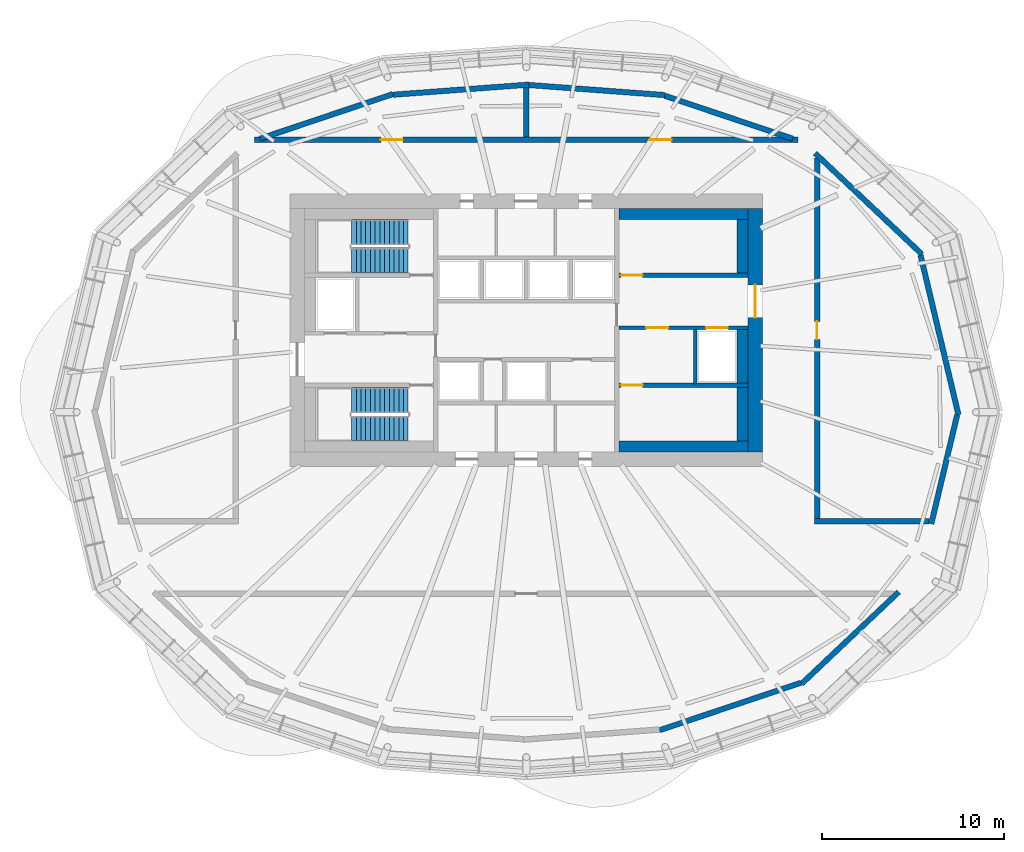
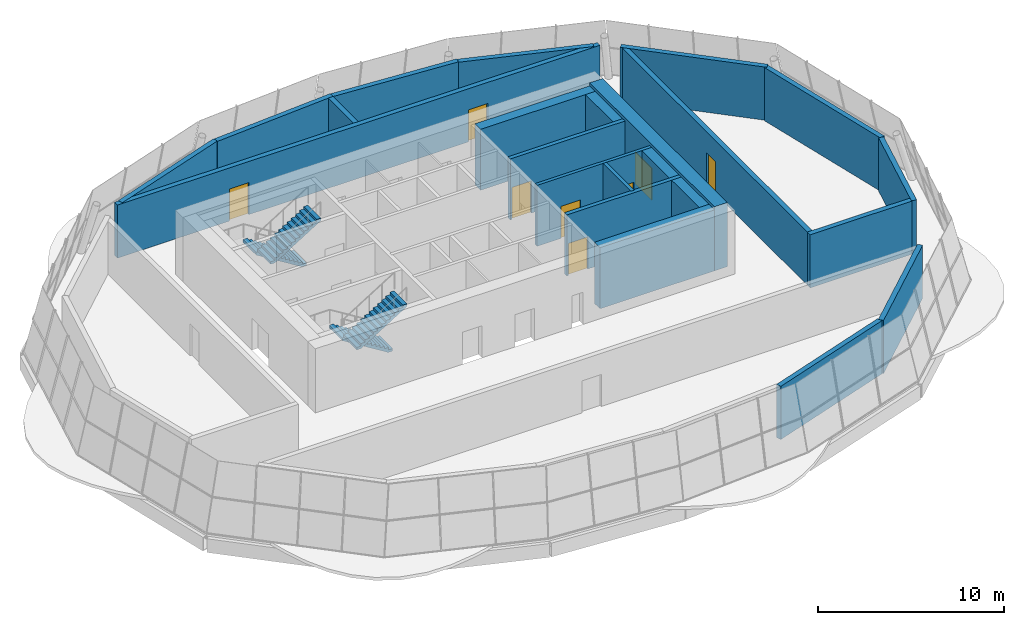
# One storey, part 8 of 9: 23 walls, 8 doors, 4 stair flights, 8 openings, 2 elements without a shape of their own.
"""IFC4 building model written with IfcOpenShell, lengths in metres."""

from ifc_helpers import new_model, si_unit, direction, frame, frame_2d, origin, place, context, subcontext, project, spatial, polyline, rectangle, outline, extrude, material, layer, layer_set, type_object, element, fill, aggregate, save


model = new_model("IFC4")

# Units and contexts
model_context = context("Model", 3, precision=1e-05, world=origin(), true_north=direction((0.0, 1.0)))
body_context = subcontext(model_context, "Body", "Model", "MODEL_VIEW")
ifc_project = project(units=[si_unit("LENGTHUNIT", "METRE"), si_unit("AREAUNIT", "SQUARE_METRE"), si_unit("VOLUMEUNIT", "CUBIC_METRE"), si_unit("PLANEANGLEUNIT", "RADIAN"), si_unit("MASSUNIT", "GRAM", prefix="KILO")], contexts=[model_context])

# Site, building, storey
site_placement = place(None, origin())
site = spatial("IfcSite", under=ifc_project, at=site_placement, CompositionType="ELEMENT")
building_placement = place(site_placement, origin())
building = spatial("IfcBuilding", under=site, at=building_placement, Name="Rubra Terraces Tower", CompositionType="ELEMENT")
storey_placement = place(building_placement, frame((0.0, 0.0, 307.800048828125)))
storey = spatial("IfcBuildingStorey", under=building, at=storey_placement, Name="L76", CompositionType="ELEMENT", Elevation=307.800048828125)

# Wall, opening, door
ifc_material_1 = material(Name="Concrete C50", Category="concrete")
ifc_layer_1 = layer(ifc_material_1, 0.800048828125)
ifc_layer_set_1 = layer_set([ifc_layer_1], Name="Concrete C50")
wall_type_1 = type_object("IfcWallType", Name="CORE WALL 800 C50", PredefinedType="SHEAR", material=ifc_layer_set_1)
wall_1_placement = place(storey_placement, frame((12.60009765625, -2.199951171875, 0.0), z_axis=(0.0, 0.0, 1.0), x_axis=(0.0, 1.0, 0.0)))
wall_1 = element("IfcWall", 1, at=wall_1_placement, inside=storey, type_object=wall_type_1, Name="CORE WALL E L76", PredefinedType="SHEAR", context=body_context, shape_type="SweptSolid", body=[
    extrude(rectangle(XDim=13.39990234375, YDim=0.800048828125, at=frame_2d((6.699951171875, 0.0))), origin(), (0.0, 0.0, 1.0), 4.199951171875),
])
opening_1_placement = place(wall_1_placement, frame((7.39990234375, 0.0, 0.0)))
opening_1 = element("IfcOpeningElement", 2, at=opening_1_placement, cuts=wall_1, Name="Opening L76.C02", PredefinedType="OPENING", context=body_context, shape_type="SweptSolid", body=[
    extrude(rectangle(XDim=1.800048828125, YDim=2.10009765625, at=frame_2d((0.89990234375, 1.050048828125))), frame((0.0, 0.409912109375, 0.0), z_axis=(0.0, -1.0, 0.0), x_axis=(1.0, 0.0, 0.0)), (0.0, 0.0, 1.0), 0.820068359375),
])
ifc_material_2 = material(Name="Painted steel", Category="steel")
door_type_1 = type_object("IfcDoorType", Name="Fire door 1800x2100 double", OperationType="NOTDEFINED", PredefinedType="DOOR", material=ifc_material_2)
door_1_placement = place(opening_1_placement, origin())
door_1 = element("IfcDoor", 3, at=door_1_placement, inside=storey, type_object=door_type_1, Name="Core entrance door FF2", OperationType="DOUBLE_DOOR_SINGLE_SWING", OverallHeight=2.10009765625, OverallWidth=1.800048828125, PredefinedType="DOOR", context=body_context, shape_type="SweptSolid", body=[
    extrude(rectangle(XDim=1.800048828125, YDim=2.10009765625, at=frame_2d((0.89990234375, 1.050048828125))), frame((0.0, 0.02490234375, 0.0), z_axis=(0.0, -1.0, 0.0), x_axis=(1.0, 0.0, 0.0)), (0.0, 0.0, 1.0), 0.050048828125),
])
fill(opening_1, door_1)

# Walls
ifc_material_3 = material(Name="Concrete C40", Category="concrete")
ifc_layer_2 = layer(ifc_material_3, 0.60009765625)
ifc_layer_set_2 = layer_set([ifc_layer_2], Name="Concrete C40")
wall_type_2 = type_object("IfcWallType", Name="Core lining wall 600 concrete", PredefinedType="SOLIDWALL", material=ifc_layer_set_2)
wall_2_placement = place(storey_placement, frame((12.199951171875, 10.89990234375, 0.0), z_axis=(0.0, 0.0, 1.0), x_axis=(-1.0, 0.0, 0.0)))
element("IfcWall", 4, at=wall_2_placement, inside=storey, type_object=wall_type_2, Name="CORE LINING WALL L76", PredefinedType="SOLIDWALL", context=body_context, shape_type="SweptSolid", body=[
    extrude(rectangle(XDim=7.099853515625, YDim=0.60009765625, at=frame_2d((3.5498046875, 0.0))), origin(), (0.0, 0.0, 1.0), 4.0),
])
wall_3_placement = place(storey_placement, frame((11.89990234375, 10.60009765625, 0.0), z_axis=(0.0, 0.0, 1.0), x_axis=(0.0, -1.0, 0.0)))
element("IfcWall", 5, at=wall_3_placement, inside=storey, type_object=wall_type_2, Name="CORE LINING WALL L76", PredefinedType="SOLIDWALL", context=body_context, shape_type="SweptSolid", body=[
    extrude(rectangle(XDim=2.9501953125, YDim=0.60009765625, at=frame_2d((1.47509765625, 0.0))), origin(), (0.0, 0.0, 1.0), 4.0),
])
wall_4_placement = place(storey_placement, frame((11.89990234375, 4.550048828125, 0.0), z_axis=(0.0, 0.0, 1.0), x_axis=(0.0, -1.0, 0.0)))
element("IfcWall", 6, at=wall_4_placement, inside=storey, type_object=wall_type_2, Name="CORE LINING WALL L76", PredefinedType="SOLIDWALL", context=body_context, shape_type="SweptSolid", body=[
    extrude(rectangle(XDim=3.0, YDim=0.60009765625, at=frame_2d((1.5, 0.0))), origin(), (0.0, 0.0, 1.0), 4.0),
])
wall_5_placement = place(storey_placement, frame((11.89990234375, 1.35009765625, 0.0), z_axis=(0.0, 0.0, 1.0), x_axis=(0.0, -1.0, 0.0)))
element("IfcWall", 7, at=wall_5_placement, inside=storey, type_object=wall_type_2, Name="CORE LINING WALL L76", PredefinedType="SOLIDWALL", context=body_context, shape_type="SweptSolid", body=[
    extrude(rectangle(XDim=2.9501953125, YDim=0.60009765625, at=frame_2d((1.47509765625, 0.0))), origin(), (0.0, 0.0, 1.0), 4.0),
])
wall_6_placement = place(storey_placement, frame((12.199951171875, -1.89990234375, 0.0), z_axis=(0.0, 0.0, 1.0), x_axis=(-1.0, 0.0, 0.0)))
element("IfcWall", 8, at=wall_6_placement, inside=storey, type_object=wall_type_2, Name="CORE LINING WALL L76", PredefinedType="SOLIDWALL", context=body_context, shape_type="SweptSolid", body=[
    extrude(rectangle(XDim=7.099853515625, YDim=0.60009765625, at=frame_2d((3.5498046875, 0.0))), origin(), (0.0, 0.0, 1.0), 4.0),
])

# Wall, openings, doors
ifc_material_4 = material(Name="Concrete C30", Category="concrete")
ifc_layer_3 = layer(ifc_material_4, 0.199951171875)
ifc_layer_set_3 = layer_set([ifc_layer_3], Name="Concrete C30")
wall_type_3 = type_object("IfcWallType", Name="Core wall 200 concrete", PredefinedType="SOLIDWALL", material=ifc_layer_set_3)
wall_7_placement = place(storey_placement, frame((12.199951171875, 4.64990234375, 0.0), z_axis=(0.0, 0.0, 1.0), x_axis=(-1.0, 0.0, 0.0)))
wall_7 = element("IfcWall", 9, at=wall_7_placement, inside=storey, type_object=wall_type_3, Name="STAIR WALL L76", PredefinedType="SOLIDWALL", context=body_context, shape_type="SweptSolid", body=[
    extrude(rectangle(XDim=7.099853515625, YDim=0.199951171875, at=frame_2d((3.5498046875, 0.0))), origin(), (0.0, 0.0, 1.0), 4.0),
])
opening_2_placement = place(wall_7_placement, frame((4.39990234375, 0.0, 0.0)))
opening_2 = element("IfcOpeningElement", 10, at=opening_2_placement, cuts=wall_7, Name="Opening L76.C06", PredefinedType="OPENING", context=body_context, shape_type="SweptSolid", body=[
    extrude(rectangle(XDim=1.199951171875, YDim=2.10009765625, at=frame_2d((0.60009765625, 1.050048828125))), frame((0.0, 0.10986328125, 0.0), z_axis=(0.0, -1.0, 0.0), x_axis=(1.0, 0.0, 0.0)), (0.0, 0.0, 1.0), 0.219970703125),
])
opening_3_placement = place(wall_7_placement, frame((1.10009765625, 0.0, 0.0)))
opening_3 = element("IfcOpeningElement", 11, at=opening_3_placement, cuts=wall_7, Name="Opening L76.C12", PredefinedType="OPENING", context=body_context, shape_type="SweptSolid", body=[
    extrude(rectangle(XDim=1.199951171875, YDim=2.10009765625, at=frame_2d((0.60009765625, 1.050048828125))), frame((0.0, 0.10986328125, 0.0), z_axis=(0.0, -1.0, 0.0), x_axis=(1.0, 0.0, 0.0)), (0.0, 0.0, 1.0), 0.219970703125),
])
door_type_2 = type_object("IfcDoorType", Name="Fire door 1200x2100 single", OperationType="NOTDEFINED", PredefinedType="DOOR", material=ifc_material_2)
door_2_placement = place(opening_2_placement, origin())
door_2 = element("IfcDoor", 12, at=door_2_placement, inside=storey, type_object=door_type_2, Name="Stair vestibule door S4", OperationType="SINGLE_SWING_RIGHT", OverallHeight=2.10009765625, OverallWidth=1.199951171875, PredefinedType="DOOR", context=body_context, shape_type="SweptSolid", body=[
    extrude(rectangle(XDim=1.199951171875, YDim=2.10009765625, at=frame_2d((0.60009765625, 1.050048828125))), frame((0.0, 0.02490234375, 0.0), z_axis=(0.0, -1.0, 0.0), x_axis=(1.0, 0.0, 0.0)), (0.0, 0.0, 1.0), 0.050048828125),
])
fill(opening_2, door_2)
ifc_material_5 = material(Name="Stainless steel", Category="steel")
door_type_3 = type_object("IfcDoorType", Name="Lift landing door 1200x2100", OperationType="NOTDEFINED", PredefinedType="DOOR", material=ifc_material_5)
door_3_placement = place(opening_3_placement, origin())
door_3 = element("IfcDoor", 13, at=door_3_placement, inside=storey, type_object=door_type_3, Name="Landing door FF2", OperationType="SLIDING_TO_RIGHT", OverallHeight=2.10009765625, OverallWidth=1.199951171875, PredefinedType="DOOR", context=body_context, shape_type="SweptSolid", body=[
    extrude(rectangle(XDim=1.199951171875, YDim=2.10009765625, at=frame_2d((0.60009765625, 1.050048828125))), frame((0.0, 0.02490234375, 0.0), z_axis=(0.0, -1.0, 0.0), x_axis=(1.0, 0.0, 0.0)), (0.0, 0.0, 1.0), 0.050048828125),
])
fill(opening_3, door_3)

# Walls
wall_8_placement = place(storey_placement, frame((9.300048828125, 4.550048828125, 0.0), z_axis=(0.0, 0.0, 1.0), x_axis=(0.0, -1.0, 0.0)))
element("IfcWall", 14, at=wall_8_placement, inside=storey, type_object=wall_type_3, Name="STAIR WALL L76", PredefinedType="SOLIDWALL", context=body_context, shape_type="SweptSolid", body=[
    extrude(rectangle(XDim=3.0, YDim=0.199951171875, at=frame_2d((1.5, 0.0))), origin(), (0.0, 0.0, 1.0), 4.0),
])
ifc_material_6 = material(Name="Blockwork", Category="masonry")
ifc_layer_4 = layer(ifc_material_6, 0.300048828125)
ifc_layer_set_4 = layer_set([ifc_layer_4], Name="Blockwork")
wall_type_4 = type_object("IfcWallType", Name="Plant wall 300 blockwork", PredefinedType="SOLIDWALL", material=ifc_layer_set_4)
wall_9_placement = place(storey_placement, frame((15.89111328125, 14.2509765625, 0.0), z_axis=(0.0, 0.0, 1.0), x_axis=(0.726669936256, -0.686986756598, 0.0)))
element("IfcWall", 15, at=wall_9_placement, inside=storey, type_object=wall_type_4, Name="Plant room wall", PredefinedType="SOLIDWALL", context=body_context, shape_type="SweptSolid", body=[
    extrude(rectangle(XDim=8.090087890625, YDim=0.300048828125, at=frame_2d((4.044921875, 0.0))), origin(), (0.0, 0.0, 1.0), 3.48388671875),
])
wall_10_placement = place(storey_placement, frame((21.696044921875, 8.64990234375, 0.0), z_axis=(0.0, 0.0, 1.0), x_axis=(0.231055814684, -0.972940496896, 0.0)))
element("IfcWall", 16, at=wall_10_placement, inside=storey, type_object=wall_type_4, Name="Plant room wall", PredefinedType="SOLIDWALL", context=body_context, shape_type="SweptSolid", body=[
    extrude(rectangle(XDim=9.04052734375, YDim=0.300048828125, at=frame_2d((4.520263671875, 0.0))), origin(), (0.0, 0.0, 1.0), 3.48388671875),
])
wall_11_placement = place(storey_placement, frame((23.715087890625, -0.14599609375, 0.0), z_axis=(0.0, 0.0, 1.0), x_axis=(-0.231079925788, -0.972934770629, 0.0)))
element("IfcWall", 17, at=wall_11_placement, inside=storey, type_object=wall_type_4, Name="Plant room wall", PredefinedType="SOLIDWALL", context=body_context, shape_type="SweptSolid", body=[
    extrude(rectangle(XDim=6.1669921875, YDim=0.300048828125, at=frame_2d((3.08349609375, 0.0))), origin(), (0.0, 0.0, 1.0), 3.48388671875),
])
wall_12_placement = place(storey_placement, frame((22.175048828125, -6.0, 0.0), z_axis=(0.0, 0.0, 1.0), x_axis=(-1.0, 0.0, 0.0)))
element("IfcWall", 18, at=wall_12_placement, inside=storey, type_object=wall_type_4, Name="Plant room wall", PredefinedType="SOLIDWALL", context=body_context, shape_type="SweptSolid", body=[
    extrude(rectangle(XDim=6.324951171875, YDim=0.300048828125, at=frame_2d((3.16259765625, 0.0))), origin(), (0.0, 0.0, 1.0), 3.48388671875),
])

# Wall, opening, door
wall_13_placement = place(storey_placement, frame((16.0, -5.85009765625, 0.0), z_axis=(0.0, 0.0, 1.0), x_axis=(0.0, 1.0, 0.0)))
wall_13 = element("IfcWall", 19, at=wall_13_placement, inside=storey, type_object=wall_type_4, Name="Plant room wall", PredefinedType="SOLIDWALL", context=body_context, shape_type="SweptSolid", body=[
    extrude(rectangle(XDim=19.84814453125, YDim=0.300048828125, at=frame_2d((9.924072265625, 0.0))), origin(), (0.0, 0.0, 1.0), 3.48388671875),
])
opening_4_placement = place(wall_13_placement, frame((9.85009765625, 0.0, 0.0)))
opening_4 = element("IfcOpeningElement", 20, at=opening_4_placement, cuts=wall_13, Name="Opening DB1", PredefinedType="OPENING", context=body_context, shape_type="SweptSolid", body=[
    extrude(rectangle(XDim=1.0, YDim=2.10009765625, at=frame_2d((0.5, 1.050048828125))), frame((0.0, 0.159912109375, 0.0), z_axis=(0.0, -1.0, 0.0), x_axis=(1.0, 0.0, 0.0)), (0.0, 0.0, 1.0), 0.320068359375),
])
ifc_material_7 = material(Name="Painted timber", Category="wood")
door_type_4 = type_object("IfcDoorType", Name="Door 1000x2100 single", OperationType="NOTDEFINED", PredefinedType="DOOR", material=ifc_material_7)
door_4_placement = place(opening_4_placement, origin())
door_4 = element("IfcDoor", 21, at=door_4_placement, inside=storey, type_object=door_type_4, Name="Plant room door L76-02", OperationType="SINGLE_SWING_LEFT", OverallHeight=2.10009765625, OverallWidth=1.0, PredefinedType="DOOR", context=body_context, shape_type="SweptSolid", body=[
    extrude(rectangle(XDim=1.0, YDim=2.10009765625, at=frame_2d((0.5, 1.050048828125))), frame((0.0, 0.02490234375, 0.0), z_axis=(0.0, -1.0, 0.0), x_axis=(1.0, 0.0, 0.0)), (0.0, 0.0, 1.0), 0.050048828125),
])
fill(opening_4, door_4)

# Walls
wall_14_placement = place(storey_placement, frame((20.4970703125, -9.89697265625, 0.0), z_axis=(0.0, 0.0, 1.0), x_axis=(-0.726687950855, -0.686967700902, 0.0)))
element("IfcWall", 22, at=wall_14_placement, inside=storey, type_object=wall_type_4, Name="Plant room wall", PredefinedType="SOLIDWALL", context=body_context, shape_type="SweptSolid", body=[
    extrude(rectangle(XDim=7.351318359375, YDim=0.300048828125, at=frame_2d((3.67578125, 0.0))), origin(), (0.0, 0.0, 1.0), 3.48388671875),
])
wall_15_placement = place(storey_placement, frame((15.1220703125, -14.89208984375, 0.0), z_axis=(0.0, 0.0, 1.0), x_axis=(-0.947889107185, -0.318600440175, 0.0)))
element("IfcWall", 23, at=wall_15_placement, inside=storey, type_object=wall_type_4, Name="Plant room wall", PredefinedType="SOLIDWALL", context=body_context, shape_type="SweptSolid", body=[
    extrude(rectangle(XDim=8.207763671875, YDim=0.300048828125, at=frame_2d((4.10400390625, 0.0))), origin(), (0.0, 0.0, 1.0), 3.48388671875),
])

# Wall, openings, doors
wall_16_placement = place(storey_placement, frame((14.948974609375, 15.0, 0.0), z_axis=(0.0, 0.0, 1.0), x_axis=(-1.0, 0.0, 0.0)))
wall_16 = element("IfcWall", 24, at=wall_16_placement, inside=storey, type_object=wall_type_4, Name="Plant room wall", PredefinedType="SOLIDWALL", context=body_context, shape_type="SweptSolid", body=[
    extrude(rectangle(XDim=29.89794921875, YDim=0.300048828125, at=frame_2d((14.948974609375, 0.0))), origin(), (0.0, 0.0, 1.0), 3.48388671875),
])
opening_5_placement = place(wall_16_placement, frame((21.7490234375, 0.0, 0.0)))
opening_5 = element("IfcOpeningElement", 25, at=opening_5_placement, cuts=wall_16, Name="Opening DB2", PredefinedType="OPENING", context=body_context, shape_type="SweptSolid", body=[
    extrude(rectangle(XDim=1.199951171875, YDim=2.10009765625, at=frame_2d((0.60009765625, 1.050048828125))), frame((0.0, 0.159912109375, 0.0), z_axis=(0.0, -1.0, 0.0), x_axis=(1.0, 0.0, 0.0)), (0.0, 0.0, 1.0), 0.320068359375),
])
opening_6_placement = place(wall_16_placement, frame((6.948974609375, 0.0, 0.0)))
opening_6 = element("IfcOpeningElement", 26, at=opening_6_placement, cuts=wall_16, Name="Opening DB2", PredefinedType="OPENING", context=body_context, shape_type="SweptSolid", body=[
    extrude(rectangle(XDim=1.199951171875, YDim=2.10009765625, at=frame_2d((0.60009765625, 1.050048828125))), frame((0.0, 0.159912109375, 0.0), z_axis=(0.0, -1.0, 0.0), x_axis=(1.0, 0.0, 0.0)), (0.0, 0.0, 1.0), 0.320068359375),
])
door_type_5 = type_object("IfcDoorType", Name="Door 1200x2100 plant", OperationType="NOTDEFINED", PredefinedType="DOOR", material=ifc_material_2)
door_5_placement = place(opening_5_placement, origin())
door_5 = element("IfcDoor", 27, at=door_5_placement, inside=storey, type_object=door_type_5, Name="Plant room door L76-04", OperationType="SINGLE_SWING_LEFT", OverallHeight=2.10009765625, OverallWidth=1.199951171875, PredefinedType="DOOR", context=body_context, shape_type="SweptSolid", body=[
    extrude(rectangle(XDim=1.199951171875, YDim=2.10009765625, at=frame_2d((0.60009765625, 1.050048828125))), frame((0.0, 0.02490234375, 0.0), z_axis=(0.0, -1.0, 0.0), x_axis=(1.0, 0.0, 0.0)), (0.0, 0.0, 1.0), 0.050048828125),
])
fill(opening_5, door_5)
door_6_placement = place(opening_6_placement, origin())
door_6 = element("IfcDoor", 28, at=door_6_placement, inside=storey, type_object=door_type_5, Name="Plant room door L76-05", OperationType="SINGLE_SWING_LEFT", OverallHeight=2.10009765625, OverallWidth=1.199951171875, PredefinedType="DOOR", context=body_context, shape_type="SweptSolid", body=[
    extrude(rectangle(XDim=1.199951171875, YDim=2.10009765625, at=frame_2d((0.60009765625, 1.050048828125))), frame((0.0, 0.02490234375, 0.0), z_axis=(0.0, -1.0, 0.0), x_axis=(1.0, 0.0, 0.0)), (0.0, 0.0, 1.0), 0.050048828125),
])
fill(opening_6, door_6)

# Walls
wall_17_placement = place(storey_placement, frame((-14.656982421875, 15.048095703125, 0.0), z_axis=(0.0, 0.0, 1.0), x_axis=(0.947876681806, 0.318637405352, 0.0)))
element("IfcWall", 29, at=wall_17_placement, inside=storey, type_object=wall_type_4, Name="Plant room wall", PredefinedType="SOLIDWALL", context=body_context, shape_type="SweptSolid", body=[
    extrude(rectangle(XDim=7.71728515625, YDim=0.300048828125, at=frame_2d((3.858642578125, 0.0))), origin(), (0.0, 0.0, 1.0), 3.48388671875),
])
wall_18_placement = place(storey_placement, frame((-7.333984375, 17.469970703125, 0.0), z_axis=(0.0, 0.0, 1.0), x_axis=(0.99725255451, 0.074076599028, 0.0)))
element("IfcWall", 30, at=wall_18_placement, inside=storey, type_object=wall_type_4, Name="Plant room wall", PredefinedType="SOLIDWALL", context=body_context, shape_type="SweptSolid", body=[
    extrude(rectangle(XDim=7.50439453125, YDim=0.300048828125, at=frame_2d((3.752197265625, 0.0))), origin(), (0.0, 0.0, 1.0), 3.48388671875),
])
wall_19_placement = place(storey_placement, frame((0.0, 17.864990234375, 0.0), z_axis=(0.0, 0.0, 1.0), x_axis=(0.0, -1.0, 0.0)))
element("IfcWall", 31, at=wall_19_placement, inside=storey, type_object=wall_type_4, Name="Plant room wall", PredefinedType="SOLIDWALL", context=body_context, shape_type="SweptSolid", body=[
    extrude(rectangle(XDim=2.715087890625, YDim=0.300048828125, at=frame_2d((1.357421875, 0.0))), origin(), (0.0, 0.0, 1.0), 3.48388671875),
])
wall_20_placement = place(storey_placement, frame((0.14990234375, 18.00390625, 0.0), z_axis=(0.0, 0.0, 1.0), x_axis=(0.997252733018, -0.074074195827, 0.0)))
element("IfcWall", 32, at=wall_20_placement, inside=storey, type_object=wall_type_4, Name="Plant room wall", PredefinedType="SOLIDWALL", context=body_context, shape_type="SweptSolid", body=[
    extrude(rectangle(XDim=7.504638671875, YDim=0.300048828125, at=frame_2d((3.75244140625, 0.0))), origin(), (0.0, 0.0, 1.0), 3.48388671875),
])
wall_21_placement = place(storey_placement, frame((7.6259765625, 17.410888671875, 0.0), z_axis=(0.0, 0.0, 1.0), x_axis=(0.947906967492, -0.318547297871, 0.0)))
element("IfcWall", 33, at=wall_21_placement, inside=storey, type_object=wall_type_4, Name="Plant room wall", PredefinedType="SOLIDWALL", context=body_context, shape_type="SweptSolid", body=[
    extrude(rectangle(XDim=7.41748046875, YDim=0.300048828125, at=frame_2d((3.708740234375, 0.0))), origin(), (0.0, 0.0, 1.0), 3.48388671875),
])

# Wall, opening, door
ifc_layer_5 = layer(ifc_material_3, 0.25)
ifc_layer_set_5 = layer_set([ifc_layer_5], Name="Concrete C40")
wall_type_5 = type_object("IfcWallType", Name="Stair enclosure wall 250 concrete", PredefinedType="SOLIDWALL", material=ifc_layer_set_5)
wall_22_placement = place(storey_placement, frame((12.199951171875, 7.52490234375, 0.0), z_axis=(0.0, 0.0, 1.0), x_axis=(-1.0, 0.0, 0.0)))
wall_22 = element("IfcWall", 34, at=wall_22_placement, inside=storey, type_object=wall_type_5, Name="STAIR WALL L76", PredefinedType="SOLIDWALL", context=body_context, shape_type="SweptSolid", body=[
    extrude(rectangle(XDim=7.099853515625, YDim=0.25, at=frame_2d((3.5498046875, 0.0))), origin(), (0.0, 0.0, 1.0), 4.0),
])
opening_7_placement = place(wall_22_placement, frame((5.800048828125, 0.0, 0.0)))
opening_7 = element("IfcOpeningElement", 35, at=opening_7_placement, cuts=wall_22, Name="Opening L76.C08", PredefinedType="OPENING", context=body_context, shape_type="SweptSolid", body=[
    extrude(rectangle(XDim=1.199951171875, YDim=2.10009765625, at=frame_2d((0.60009765625, 1.050048828125))), frame((0.0, 0.135009765625, 0.0), z_axis=(0.0, -1.0, 0.0), x_axis=(1.0, 0.0, 0.0)), (0.0, 0.0, 1.0), 0.27001953125),
])
door_7_placement = place(opening_7_placement, origin())
door_7 = element("IfcDoor", 36, at=door_7_placement, inside=storey, type_object=door_type_2, Name="Plant room door", OperationType="SINGLE_SWING_RIGHT", OverallHeight=2.10009765625, OverallWidth=1.199951171875, PredefinedType="DOOR", context=body_context, shape_type="SweptSolid", body=[
    extrude(rectangle(XDim=1.199951171875, YDim=2.10009765625, at=frame_2d((0.60009765625, 1.050048828125))), frame((0.0, 0.02490234375, 0.0), z_axis=(0.0, -1.0, 0.0), x_axis=(1.0, 0.0, 0.0)), (0.0, 0.0, 1.0), 0.050048828125),
])
fill(opening_7, door_7)

wall_23_placement = place(storey_placement, frame((12.199951171875, 1.47509765625, 0.0), z_axis=(0.0, 0.0, 1.0), x_axis=(-1.0, 0.0, 0.0)))
wall_23 = element("IfcWall", 37, at=wall_23_placement, inside=storey, type_object=wall_type_5, Name="STAIR WALL L76", PredefinedType="SOLIDWALL", context=body_context, shape_type="SweptSolid", body=[
    extrude(rectangle(XDim=7.099853515625, YDim=0.25, at=frame_2d((3.5498046875, 0.0))), origin(), (0.0, 0.0, 1.0), 4.0),
])
opening_8_placement = place(wall_23_placement, frame((5.800048828125, 0.0, 0.0)))
opening_8 = element("IfcOpeningElement", 38, at=opening_8_placement, cuts=wall_23, Name="Opening L76.C10", PredefinedType="OPENING", context=body_context, shape_type="SweptSolid", body=[
    extrude(rectangle(XDim=1.199951171875, YDim=2.10009765625, at=frame_2d((0.60009765625, 1.050048828125))), frame((0.0, 0.135009765625, 0.0), z_axis=(0.0, -1.0, 0.0), x_axis=(1.0, 0.0, 0.0)), (0.0, 0.0, 1.0), 0.27001953125),
])
door_8_placement = place(opening_8_placement, origin())
door_8 = element("IfcDoor", 39, at=door_8_placement, inside=storey, type_object=door_type_2, Name="Plant room door", OperationType="SINGLE_SWING_RIGHT", OverallHeight=2.10009765625, OverallWidth=1.199951171875, PredefinedType="DOOR", context=body_context, shape_type="SweptSolid", body=[
    extrude(rectangle(XDim=1.199951171875, YDim=2.10009765625, at=frame_2d((0.60009765625, 1.050048828125))), frame((0.0, 0.02490234375, 0.0), z_axis=(0.0, -1.0, 0.0), x_axis=(1.0, 0.0, 0.0)), (0.0, 0.0, 1.0), 0.050048828125),
])
fill(opening_8, door_8)

# Stair, stair flights
stair_type = type_object("IfcStairType", Name="Core stair 1400", PredefinedType="HALF_TURN_STAIR", material=ifc_material_3)
stair_1_placement = place(storey_placement, origin())
stair_1 = element("IfcStair", 40, at=stair_1_placement, inside=storey, type_object=stair_type, Name="L76 Exit stair S1", PredefinedType="HALF_TURN_STAIR")
stair_flight_type = type_object("IfcStairFlightType", Name="Core stair flight 1400", PredefinedType="STRAIGHT", material=ifc_material_3)
stair_flight_1_placement = place(storey_placement, frame((-6.5, 0.64990234375, 0.0), z_axis=(0.0, 0.0, 1.0), x_axis=(-1.0, 0.0, 0.0)))
stair_flight_1 = element("IfcStairFlight", 41, at=stair_flight_1_placement, type_object=stair_flight_type, Name="S1 flight 1", NumberOfRisers=13, NumberOfTreads=12, PredefinedType="STRAIGHT", RiserHeight=0.161538462, TreadLength=0.26, context=body_context, shape_type="SweptSolid", body=[
    extrude(outline(polyline([(0.0, 0.0), (0.0, 0.16162109375), (0.260009765625, 0.16162109375), (0.260009765625, 0.322998046875), (0.52001953125, 0.322998046875), (0.52001953125, 0.484619140625), (0.780029296875, 0.484619140625), (0.780029296875, 0.646240234375), (1.0400390625, 0.646240234375), (1.0400390625, 0.8076171875), (1.300048828125, 0.8076171875), (1.300048828125, 0.96923828125), (1.56005859375, 0.96923828125), (1.56005859375, 1.130859375), (1.820068359375, 1.130859375), (1.820068359375, 1.292236328125), (2.080078125, 1.292236328125), (2.080078125, 1.453857421875), (2.340087890625, 1.453857421875), (2.340087890625, 1.615478515625), (2.60009765625, 1.615478515625), (2.60009765625, 1.77685546875), (2.860107421875, 1.77685546875), (2.860107421875, 1.9384765625), (3.1201171875, 1.9384765625), (3.1201171875, 2.10009765625), (3.1201171875, 1.761962890625), (0.283935546875, 0.0), (0.0, 0.0)])), frame((0.0, 0.699951171875, 0.0), z_axis=(0.0, -1.0, 0.0), x_axis=(1.0, 0.0, 0.0)), (0.0, 0.0, 1.0), 1.39990234375),
])
stair_flight_2_placement = place(storey_placement, frame((-9.6201171875, -0.89990234375, 2.099853515625), z_axis=(0.0, 0.0, 1.0), x_axis=(1.0, 0.0, 0.0)))
stair_flight_2 = element("IfcStairFlight", 42, at=stair_flight_2_placement, type_object=stair_flight_type, Name="S1 flight 2", NumberOfRisers=13, NumberOfTreads=12, PredefinedType="STRAIGHT", RiserHeight=0.161538462, TreadLength=0.26, context=body_context, shape_type="SweptSolid", body=[
    extrude(outline(polyline([(0.0, 0.0), (0.0, 0.16162109375), (0.260009765625, 0.16162109375), (0.260009765625, 0.322998046875), (0.52001953125, 0.322998046875), (0.52001953125, 0.484619140625), (0.780029296875, 0.484619140625), (0.780029296875, 0.646240234375), (1.0400390625, 0.646240234375), (1.0400390625, 0.8076171875), (1.300048828125, 0.8076171875), (1.300048828125, 0.96923828125), (1.56005859375, 0.96923828125), (1.56005859375, 1.130859375), (1.820068359375, 1.130859375), (1.820068359375, 1.292236328125), (2.080078125, 1.292236328125), (2.080078125, 1.453857421875), (2.340087890625, 1.453857421875), (2.340087890625, 1.615478515625), (2.60009765625, 1.615478515625), (2.60009765625, 1.77685546875), (2.860107421875, 1.77685546875), (2.860107421875, 1.9384765625), (3.1201171875, 1.9384765625), (3.1201171875, 2.10009765625), (3.1201171875, 1.761962890625), (0.283935546875, 0.0), (0.0, 0.0)])), frame((0.0, 0.699951171875, 0.0), z_axis=(0.0, -1.0, 0.0), x_axis=(1.0, 0.0, 0.0)), (0.0, 0.0, 1.0), 1.39990234375),
])
aggregate(stair_1, [stair_flight_1, stair_flight_2])

stair_2_placement = place(storey_placement, origin())
stair_2 = element("IfcStair", 43, at=stair_2_placement, inside=storey, type_object=stair_type, Name="L76 Exit stair S2", PredefinedType="HALF_TURN_STAIR")
stair_flight_3_placement = place(storey_placement, frame((-6.5, 9.89990234375, 0.0), z_axis=(0.0, 0.0, 1.0), x_axis=(-1.0, 0.0, 0.0)))
stair_flight_3 = element("IfcStairFlight", 44, at=stair_flight_3_placement, type_object=stair_flight_type, Name="S2 flight 1", NumberOfRisers=13, NumberOfTreads=12, PredefinedType="STRAIGHT", RiserHeight=0.161538462, TreadLength=0.26, context=body_context, shape_type="SweptSolid", body=[
    extrude(outline(polyline([(0.0, 0.0), (0.0, 0.16162109375), (0.260009765625, 0.16162109375), (0.260009765625, 0.322998046875), (0.52001953125, 0.322998046875), (0.52001953125, 0.484619140625), (0.780029296875, 0.484619140625), (0.780029296875, 0.646240234375), (1.0400390625, 0.646240234375), (1.0400390625, 0.8076171875), (1.300048828125, 0.8076171875), (1.300048828125, 0.96923828125), (1.56005859375, 0.96923828125), (1.56005859375, 1.130859375), (1.820068359375, 1.130859375), (1.820068359375, 1.292236328125), (2.080078125, 1.292236328125), (2.080078125, 1.453857421875), (2.340087890625, 1.453857421875), (2.340087890625, 1.615478515625), (2.60009765625, 1.615478515625), (2.60009765625, 1.77685546875), (2.860107421875, 1.77685546875), (2.860107421875, 1.9384765625), (3.1201171875, 1.9384765625), (3.1201171875, 2.10009765625), (3.1201171875, 1.761962890625), (0.283935546875, 0.0), (0.0, 0.0)])), frame((0.0, 0.699951171875, 0.0), z_axis=(0.0, -1.0, 0.0), x_axis=(1.0, 0.0, 0.0)), (0.0, 0.0, 1.0), 1.39990234375),
])
stair_flight_4_placement = place(storey_placement, frame((-9.6201171875, 8.35009765625, 2.099853515625), z_axis=(0.0, 0.0, 1.0), x_axis=(1.0, 0.0, 0.0)))
stair_flight_4 = element("IfcStairFlight", 45, at=stair_flight_4_placement, type_object=stair_flight_type, Name="S2 flight 2", NumberOfRisers=13, NumberOfTreads=12, PredefinedType="STRAIGHT", RiserHeight=0.161538462, TreadLength=0.26, context=body_context, shape_type="SweptSolid", body=[
    extrude(outline(polyline([(0.0, 0.0), (0.0, 0.16162109375), (0.260009765625, 0.16162109375), (0.260009765625, 0.322998046875), (0.52001953125, 0.322998046875), (0.52001953125, 0.484619140625), (0.780029296875, 0.484619140625), (0.780029296875, 0.646240234375), (1.0400390625, 0.646240234375), (1.0400390625, 0.8076171875), (1.300048828125, 0.8076171875), (1.300048828125, 0.96923828125), (1.56005859375, 0.96923828125), (1.56005859375, 1.130859375), (1.820068359375, 1.130859375), (1.820068359375, 1.292236328125), (2.080078125, 1.292236328125), (2.080078125, 1.453857421875), (2.340087890625, 1.453857421875), (2.340087890625, 1.615478515625), (2.60009765625, 1.615478515625), (2.60009765625, 1.77685546875), (2.860107421875, 1.77685546875), (2.860107421875, 1.9384765625), (3.1201171875, 1.9384765625), (3.1201171875, 2.10009765625), (3.1201171875, 1.761962890625), (0.283935546875, 0.0), (0.0, 0.0)])), frame((0.0, 0.699951171875, 0.0), z_axis=(0.0, -1.0, 0.0), x_axis=(1.0, 0.0, 0.0)), (0.0, 0.0, 1.0), 1.39990234375),
])
aggregate(stair_2, [stair_flight_3, stair_flight_4])

save(model, "model.ifc")
